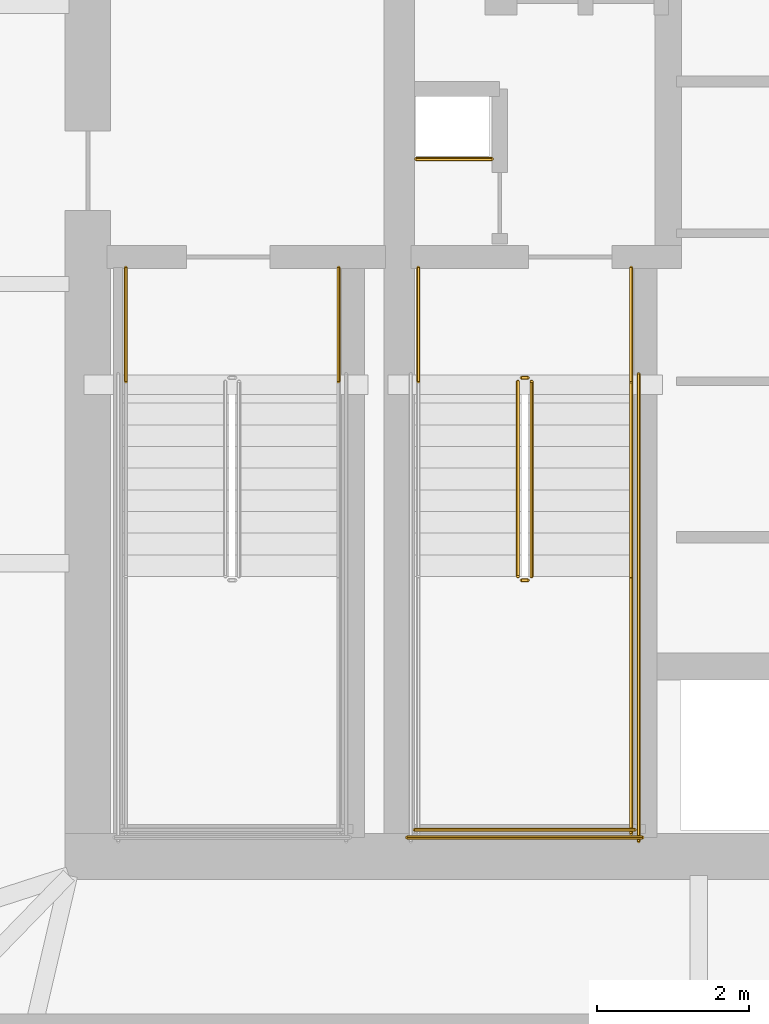
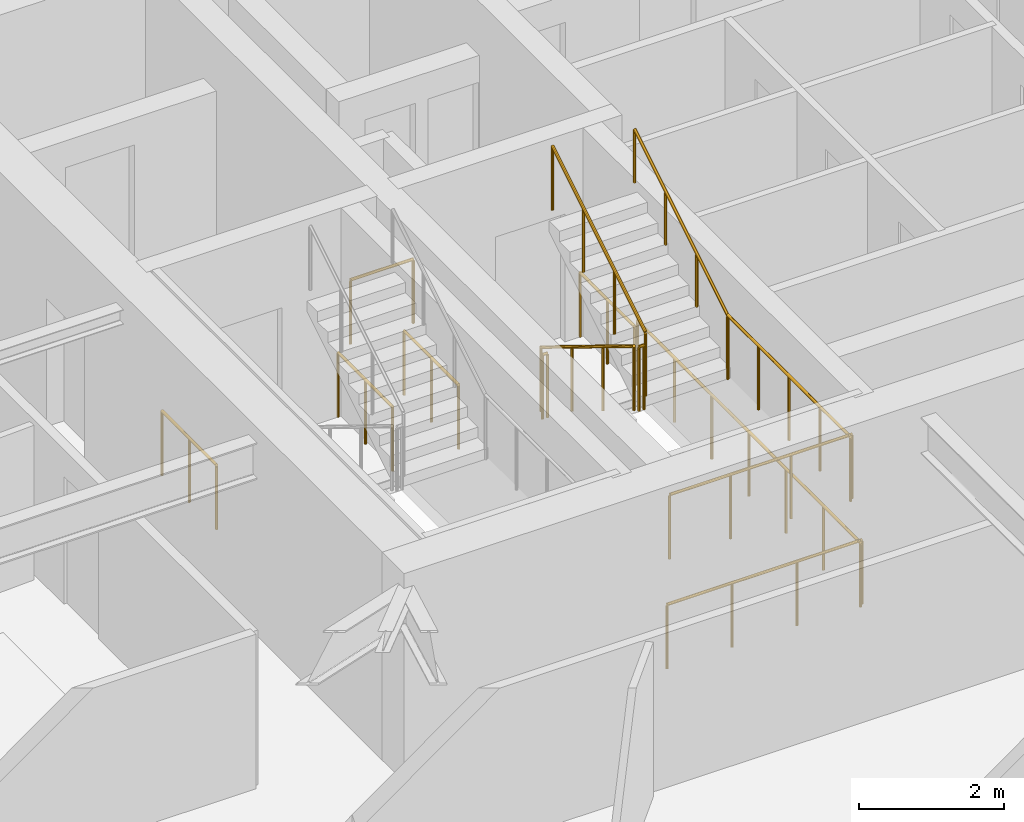
# One storey, part 28 of 30: 14 railings.
"""IFC4 building model written with IfcOpenShell, lengths in metres."""

from ifc_helpers import new_model, si_unit, direction, frame, origin, origin_2d, place, context, subcontext, project, spatial, circle, extrude, material, type_object, element, save


model = new_model("IFC4")

# Units and contexts
model_context = context("Model", 3, precision=1e-05, world=origin(), true_north=direction((0.0, 1.0)))
body_context = subcontext(model_context, "Body", "Model", "MODEL_VIEW")
ifc_project = project(units=[si_unit("LENGTHUNIT", "METRE"), si_unit("AREAUNIT", "SQUARE_METRE"), si_unit("VOLUMEUNIT", "CUBIC_METRE"), si_unit("PLANEANGLEUNIT", "RADIAN"), si_unit("MASSUNIT", "GRAM", prefix="KILO")], contexts=[model_context])

# Site, building, storey
site_placement = place(None, origin())
site = spatial("IfcSite", under=ifc_project, at=site_placement, CompositionType="ELEMENT")
building_placement = place(site_placement, origin())
building = spatial("IfcBuilding", under=site, at=building_placement, Name="Bramvorn Convention Spire", CompositionType="ELEMENT")
storey_placement = place(building_placement, frame((0.0, 0.0, 86.89990234375)))
storey = spatial("IfcBuildingStorey", under=building, at=storey_placement, Name="L20", CompositionType="ELEMENT", Elevation=86.89990234375)

# Railings
ifc_material_1 = material(Name="Painted Steel Balustrade & Guardrail", Category="steel")
railing_type_1 = type_object("IfcRailingType", Name="RL-STAIR-GUARD-1100", PredefinedType="GUARDRAIL", material=ifc_material_1)
for number, where, name in (
    (1, (27.5, 26.550048828125, 0.0), "L20 ST1 stair guard 8"),
    (2, (30.300048828125, 26.550048828125, 0.0), "L20 ST1 stair guard 9"),
):
    element("IfcRailing", number, at=place(storey_placement, frame(where)), inside=storey, type_object=railing_type_1, Name=name, PredefinedType="GUARDRAIL", context=body_context, shape_type="SweptSolid", body=[
        extrude(circle(Radius=0.02392578125, at=origin_2d()), frame((0.0, 0.0, 1.076171875), z_axis=(0.0, -1.0, 0.0), x_axis=(1.0, 0.0, 0.0)), (0.0, 0.0, 1.0), 1.5),
        extrude(circle(Radius=0.02099609375, at=origin_2d()), origin(), (0.0, 0.0, 1.0), 1.052001953125),
        extrude(circle(Radius=0.02099609375, at=origin_2d()), frame((0.0, -0.75, 0.0)), (0.0, 0.0, 1.0), 1.052001953125),
        extrude(circle(Radius=0.02099609375, at=origin_2d()), frame((0.0, -1.5, 0.0)), (0.0, 0.0, 1.0), 1.052001953125),
    ])
railing_1_placement = place(storey_placement, frame((32.659912109375, 25.050048828125, 0.175048828125)))
element("IfcRailing", 3, at=railing_1_placement, inside=storey, type_object=railing_type_1, Name="L20 ST3 stair guard 1", PredefinedType="GUARDRAIL", context=body_context, shape_type="SweptSolid", body=[
    extrude(circle(Radius=0.02392578125, at=origin_2d()), frame((0.0, 0.0, 1.076171875), z_axis=(0.0, -0.852173129349, 0.523259933127), x_axis=(1.0, 0.0, 0.0)), (0.0, 0.0, 1.0), 3.009765625),
    extrude(circle(Radius=0.02099609375, at=origin_2d()), origin(), (0.0, 0.0, 1.0), 1.052001953125),
    extrude(circle(Radius=0.02099609375, at=origin_2d()), frame((0.0, -0.85498046875, 0.52490234375)), (0.0, 0.0, 1.0), 1.052001953125),
    extrude(circle(Radius=0.02099609375, at=origin_2d()), frame((0.0, -1.7099609375, 1.050048828125)), (0.0, 0.0, 1.0), 1.052001953125),
    extrude(circle(Radius=0.02099609375, at=origin_2d()), frame((0.0, -2.56494140625, 1.574951171875)), (0.0, 0.0, 1.0), 1.052001953125),
])
railing_2_placement = place(storey_placement, frame((32.7099609375, 22.43505859375, 1.75)))
element("IfcRailing", 4, at=railing_2_placement, inside=storey, type_object=railing_type_1, Name="L20 ST3 stair guard 2", PredefinedType="GUARDRAIL", context=body_context, shape_type="SweptSolid", body=[
    extrude(circle(Radius=0.02392578125, at=origin_2d()), frame((0.0, 0.0, 1.076171875), z_axis=(1.0, 0.0, 0.0), x_axis=(0.0, 1.0, 0.0)), (0.0, 0.0, 1.0), 0.080078125),
    extrude(circle(Radius=0.02099609375, at=origin_2d()), origin(), (0.0, 0.0, 1.0), 1.052001953125),
    extrude(circle(Radius=0.02099609375, at=origin_2d()), frame((0.080078125, 0.0, 0.0)), (0.0, 0.0, 1.0), 1.052001953125),
])
railing_3_placement = place(storey_placement, frame((34.14990234375, 22.485107421875, 1.75)))
element("IfcRailing", 5, at=railing_3_placement, inside=storey, type_object=railing_type_1, Name="L20 ST3 stair guard 4", PredefinedType="GUARDRAIL", context=body_context, shape_type="SweptSolid", body=[
    extrude(circle(Radius=0.02392578125, at=origin_2d()), frame((0.0, 0.0, 1.076171875), z_axis=(0.0, -1.0, 0.0), x_axis=(1.0, 0.0, 0.0)), (0.0, 0.0, 1.0), 3.385009765625),
    extrude(circle(Radius=0.02099609375, at=origin_2d()), origin(), (0.0, 0.0, 1.0), 1.052001953125),
    extrude(circle(Radius=0.02099609375, at=origin_2d()), frame((0.0, -0.84619140625, 0.0)), (0.0, 0.0, 1.0), 1.052001953125),
    extrude(circle(Radius=0.02099609375, at=origin_2d()), frame((0.0, -1.6923828125, 0.0)), (0.0, 0.0, 1.0), 1.052001953125),
    extrude(circle(Radius=0.02099609375, at=origin_2d()), frame((0.0, -2.538818359375, 0.0)), (0.0, 0.0, 1.0), 1.052001953125),
    extrude(circle(Radius=0.02099609375, at=origin_2d()), frame((0.0, -3.385009765625, 0.0)), (0.0, 0.0, 1.0), 1.052001953125),
])
railing_4_placement = place(storey_placement, frame((31.300048828125, 19.14990234375, 1.75)))
element("IfcRailing", 6, at=railing_4_placement, inside=storey, type_object=railing_type_1, Name="L20 ST3 stair guard 5", PredefinedType="GUARDRAIL", context=body_context, shape_type="SweptSolid", body=[
    extrude(circle(Radius=0.02392578125, at=origin_2d()), frame((0.0, 0.0, 1.076171875), z_axis=(1.0, 0.0, 0.0), x_axis=(0.0, 1.0, 0.0)), (0.0, 0.0, 1.0), 2.89990234375),
    extrude(circle(Radius=0.02099609375, at=origin_2d()), origin(), (0.0, 0.0, 1.0), 1.052001953125),
    extrude(circle(Radius=0.02099609375, at=origin_2d()), frame((0.966552734375, 0.0, 0.0)), (0.0, 0.0, 1.0), 1.052001953125),
    extrude(circle(Radius=0.02099609375, at=origin_2d()), frame((1.933349609375, 0.0, 0.0)), (0.0, 0.0, 1.0), 1.052001953125),
    extrude(circle(Radius=0.02099609375, at=origin_2d()), frame((2.89990234375, 0.0, 0.0)), (0.0, 0.0, 1.0), 1.052001953125),
])
railing_5_placement = place(storey_placement, frame((32.840087890625, 22.485107421875, 1.925048828125)))
element("IfcRailing", 7, at=railing_5_placement, inside=storey, type_object=railing_type_1, Name="L20 ST3 stair guard 6", PredefinedType="GUARDRAIL", context=body_context, shape_type="SweptSolid", body=[
    extrude(circle(Radius=0.02392578125, at=origin_2d()), frame((0.0, 0.0, 1.076171875), z_axis=(0.0, 0.852173129349, 0.523259933127), x_axis=(-1.0, 0.0, 0.0)), (0.0, 0.0, 1.0), 3.009765625),
    extrude(circle(Radius=0.02099609375, at=origin_2d()), origin(), (0.0, 0.0, 1.0), 1.052001953125),
    extrude(circle(Radius=0.02099609375, at=origin_2d()), frame((0.0, 0.85498046875, 0.52490234375)), (0.0, 0.0, 1.0), 1.052001953125),
    extrude(circle(Radius=0.02099609375, at=origin_2d()), frame((0.0, 1.7099609375, 1.050048828125)), (0.0, 0.0, 1.0), 1.052001953125),
    extrude(circle(Radius=0.02099609375, at=origin_2d()), frame((0.0, 2.56494140625, 1.574951171875)), (0.0, 0.0, 1.0), 1.052001953125),
])
railing_6_placement = place(storey_placement, frame((32.7099609375, 25.10009765625, 0.0)))
element("IfcRailing", 8, at=railing_6_placement, inside=storey, type_object=railing_type_1, Name="L20 ST3 stair guard 7", PredefinedType="GUARDRAIL", context=body_context, shape_type="SweptSolid", body=[
    extrude(circle(Radius=0.02392578125, at=origin_2d()), frame((0.0, 0.0, 1.076171875), z_axis=(1.0, 0.0, 0.0), x_axis=(0.0, 1.0, 0.0)), (0.0, 0.0, 1.0), 0.080078125),
    extrude(circle(Radius=0.02099609375, at=origin_2d()), origin(), (0.0, 0.0, 1.0), 1.052001953125),
    extrude(circle(Radius=0.02099609375, at=origin_2d()), frame((0.080078125, 0.0, 0.0)), (0.0, 0.0, 1.0), 1.052001953125),
])
for number, where, name in (
    (9, (31.35009765625, 26.550048828125, 0.0), "L20 ST3 stair guard 8"),
    (10, (34.14990234375, 26.550048828125, 0.0), "L20 ST3 stair guard 9"),
):
    element("IfcRailing", number, at=place(storey_placement, frame(where)), inside=storey, type_object=railing_type_1, Name=name, PredefinedType="GUARDRAIL", context=body_context, shape_type="SweptSolid", body=[
        extrude(circle(Radius=0.02392578125, at=origin_2d()), frame((0.0, 0.0, 1.076171875), z_axis=(0.0, -1.0, 0.0), x_axis=(1.0, 0.0, 0.0)), (0.0, 0.0, 1.0), 1.5),
        extrude(circle(Radius=0.02099609375, at=origin_2d()), origin(), (0.0, 0.0, 1.0), 1.052001953125),
        extrude(circle(Radius=0.02099609375, at=origin_2d()), frame((0.0, -0.75, 0.0)), (0.0, 0.0, 1.0), 1.052001953125),
        extrude(circle(Radius=0.02099609375, at=origin_2d()), frame((0.0, -1.5, 0.0)), (0.0, 0.0, 1.0), 1.052001953125),
    ])
railing_7_placement = place(storey_placement, frame((34.25, 25.14990234375, 0.0)))
element("IfcRailing", 11, at=railing_7_placement, inside=storey, type_object=railing_type_1, Name="L20 ST3 stair guard 11", PredefinedType="GUARDRAIL", context=body_context, shape_type="SweptSolid", body=[
    extrude(circle(Radius=0.02392578125, at=origin_2d()), frame((0.0, 0.0, 1.076171875), z_axis=(0.0, -1.0, 0.0), x_axis=(1.0, 0.0, 0.0)), (0.0, 0.0, 1.0), 6.14990234375),
    extrude(circle(Radius=0.02099609375, at=origin_2d()), origin(), (0.0, 0.0, 1.0), 1.052001953125),
    extrude(circle(Radius=0.02099609375, at=origin_2d()), frame((0.0, -1.02490234375, 0.0)), (0.0, 0.0, 1.0), 1.052001953125),
    extrude(circle(Radius=0.02099609375, at=origin_2d()), frame((0.0, -2.050048828125, 0.0)), (0.0, 0.0, 1.0), 1.052001953125),
    extrude(circle(Radius=0.02099609375, at=origin_2d()), frame((0.0, -3.074951171875, 0.0)), (0.0, 0.0, 1.0), 1.052001953125),
    extrude(circle(Radius=0.02099609375, at=origin_2d()), frame((0.0, -4.099853515625, 0.0)), (0.0, 0.0, 1.0), 1.052001953125),
    extrude(circle(Radius=0.02099609375, at=origin_2d()), frame((0.0, -5.125, 0.0)), (0.0, 0.0, 1.0), 1.052001953125),
    extrude(circle(Radius=0.02099609375, at=origin_2d()), frame((0.0, -6.14990234375, 0.0)), (0.0, 0.0, 1.0), 1.052001953125),
])
railing_8_placement = place(storey_placement, frame((31.199951171875, 19.050048828125, 0.0)))
element("IfcRailing", 12, at=railing_8_placement, inside=storey, type_object=railing_type_1, Name="L20 ST3 stair guard 12", PredefinedType="GUARDRAIL", context=body_context, shape_type="SweptSolid", body=[
    extrude(circle(Radius=0.02392578125, at=origin_2d()), frame((0.0, 0.0, 1.076171875), z_axis=(1.0, 0.0, 0.0), x_axis=(0.0, 1.0, 0.0)), (0.0, 0.0, 1.0), 3.10009765625),
    extrude(circle(Radius=0.02099609375, at=origin_2d()), origin(), (0.0, 0.0, 1.0), 1.052001953125),
    extrude(circle(Radius=0.02099609375, at=origin_2d()), frame((1.033447265625, 0.0, 0.0)), (0.0, 0.0, 1.0), 1.052001953125),
    extrude(circle(Radius=0.02099609375, at=origin_2d()), frame((2.066650390625, 0.0, 0.0)), (0.0, 0.0, 1.0), 1.052001953125),
    extrude(circle(Radius=0.02099609375, at=origin_2d()), frame((3.10009765625, 0.0, 0.0)), (0.0, 0.0, 1.0), 1.052001953125),
])
railing_9_placement = place(storey_placement, frame((31.320068359375, 27.97998046875, 0.0)))
element("IfcRailing", 13, at=railing_9_placement, inside=storey, type_object=railing_type_1, Name="L20 Telecom riser shaft opening safety guardrail", PredefinedType="GUARDRAIL", context=body_context, shape_type="SweptSolid", body=[
    extrude(circle(Radius=0.02392578125, at=origin_2d()), frame((0.0, 0.0, 1.076171875), z_axis=(1.0, 0.0, 0.0), x_axis=(0.0, 1.0, 0.0)), (0.0, 0.0, 1.0), 1.0),
    extrude(circle(Radius=0.02099609375, at=origin_2d()), origin(), (0.0, 0.0, 1.0), 1.052001953125),
    extrude(circle(Radius=0.02099609375, at=origin_2d()), frame((1.0, 0.0, 0.0)), (0.0, 0.0, 1.0), 1.052001953125),
])
ifc_material_2 = material(Name="Brushed Bronze Tubular Handrail", Category="aluminium")
railing_type_2 = type_object("IfcRailingType", Name="RL-STAIR-HR-920", PredefinedType="HANDRAIL", material=ifc_material_2)
railing_10_placement = place(storey_placement, frame((34.14990234375, 22.485107421875, 1.925048828125)))
element("IfcRailing", 14, at=railing_10_placement, inside=storey, type_object=railing_type_2, Name="L20 ST3 stair handrail 2", PredefinedType="HANDRAIL", context=body_context, shape_type="SweptSolid", body=[
    extrude(circle(Radius=0.02392578125, at=origin_2d()), frame((0.0, 0.0, 0.89599609375), z_axis=(0.0, 0.852173129349, 0.523259933127), x_axis=(-1.0, 0.0, 0.0)), (0.0, 0.0, 1.0), 3.009765625),
    extrude(circle(Radius=0.02099609375, at=origin_2d()), origin(), (0.0, 0.0, 1.0), 0.871826171875),
    extrude(circle(Radius=0.02099609375, at=origin_2d()), frame((0.0, 0.85498046875, 0.52490234375)), (0.0, 0.0, 1.0), 0.871826171875),
    extrude(circle(Radius=0.02099609375, at=origin_2d()), frame((0.0, 1.7099609375, 1.050048828125)), (0.0, 0.0, 1.0), 0.871826171875),
    extrude(circle(Radius=0.02099609375, at=origin_2d()), frame((0.0, 2.56494140625, 1.574951171875)), (0.0, 0.0, 1.0), 0.871826171875),
])

save(model, "model.ifc")
